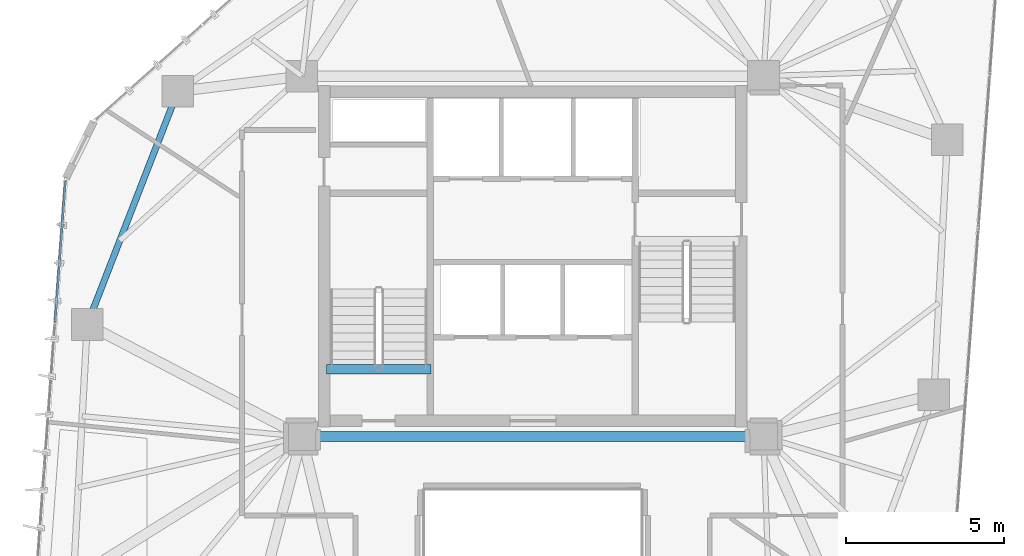
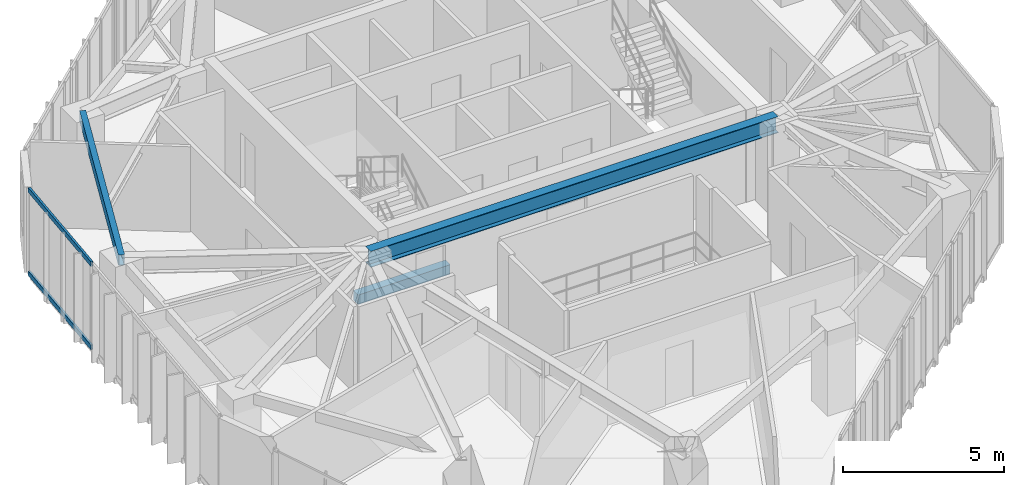
# One storey, part 8 of 19: 3 beams, 2 members, 1 element without a shape of its own.
"""IFC4 building model written with IfcOpenShell, lengths in metres."""

from ifc_helpers import new_model, si_unit, direction, frame, origin, origin_2d, place, context, subcontext, project, spatial, rectangle, hollow_rectangle, i_section, extrude, source, transform, mapped, material, layer, layer_set, material_profile, profile_set, type_object, type_shapes, element, aggregate, save


model = new_model("IFC4")

# Units and contexts
model_context = context("Model", 3, precision=1e-05, world=origin(), true_north=direction((0.0, 1.0)))
body_context = subcontext(model_context, "Body", "Model", "MODEL_VIEW")
ifc_project = project(units=[si_unit("LENGTHUNIT", "METRE"), si_unit("AREAUNIT", "SQUARE_METRE"), si_unit("VOLUMEUNIT", "CUBIC_METRE"), si_unit("PLANEANGLEUNIT", "RADIAN"), si_unit("MASSUNIT", "GRAM", prefix="KILO")], contexts=[model_context])

# Site, building, storey
site_placement = place(None, origin())
site = spatial("IfcSite", under=ifc_project, at=site_placement, CompositionType="ELEMENT")
building_placement = place(site_placement, origin())
building = spatial("IfcBuilding", under=site, at=building_placement, Name="Talar Marvaseh", CompositionType="ELEMENT")
storey_placement = place(building_placement, frame((0.0, 0.0, 222.199951171875)))
storey = spatial("IfcBuildingStorey", under=building, at=storey_placement, Name="L58", CompositionType="ELEMENT", Elevation=222.199951171875)

# Beams
ifc_material_1 = material(Name="Concrete C40/50", Category="concrete")
ifc_material_profile_1 = material_profile(ifc_material_1, rectangle(XDim=0.300048828125, YDim=0.360107421875, at=origin_2d()), Name="RC300x360")
ifc_profile_set_1 = profile_set([ifc_material_profile_1], Name="Concrete C40/50")
beam_type_1 = type_object("IfcBeamType", Name="Concrete Stair Landing Trimmer Beam RC300x360", PredefinedType="SPANDREL", material=ifc_profile_set_1)
beam_1_placement = place(storey_placement, frame((22.780029296875, 27.6298828125, -0.179931640625), z_axis=(-1.0, 0.0, 0.0), x_axis=(0.0, -1.0, 0.0)))
element("IfcBeam", 1, at=beam_1_placement, inside=storey, type_object=beam_type_1, Name="L58 ST-1 Stair Nosing Trimmer Beam", PredefinedType="SPANDREL", context=body_context, shape_type="SweptSolid", body=[
    extrude(rectangle(XDim=0.300048828125, YDim=0.360107421875, at=origin_2d()), origin(), (0.0, 0.0, 1.0), 3.300048828125),
])
ifc_material_2 = material(Name="Steel S355", Category="steel")
ifc_material_profile_2 = material_profile(ifc_material_2, hollow_rectangle(XDim=0.199951171875, YDim=0.39990234375, WallThickness=0.013916015625, at=origin_2d()), Name="RHS400x200x14")
ifc_profile_set_2 = profile_set([ifc_material_profile_2], Name="Steel S355")
beam_type_2 = type_object("IfcBeamType", Name="Zone 3 Perimeter Spandrel Beam RHS400x200x14", PredefinedType="SPANDREL", material=ifc_profile_set_2)
beam_2_placement = place(storey_placement, frame((11.908935546875, 29.044921875, 3.030029296875), z_axis=(0.362169134611, 0.932112395548, 0.0), x_axis=(-0.932112395548, 0.362169134611, 0.0)))
element("IfcBeam", 2, at=beam_2_placement, inside=storey, type_object=beam_type_2, Name="L58 Zone 3 Perimeter Spandrel Beam RHS400x200x14", PredefinedType="SPANDREL", context=body_context, shape_type="SweptSolid", body=[
    extrude(hollow_rectangle(XDim=0.199951171875, YDim=0.39990234375, WallThickness=0.013916015625, at=origin_2d()), origin(), (0.0, 0.0, 1.0), 7.907958984375),
])
ifc_material_profile_3 = material_profile(ifc_material_2, i_section(OverallWidth=0.324951171875, OverallDepth=0.615966796875, WebThickness=0.013916015625, FlangeThickness=0.021484375, at=origin_2d()), Name="W610x174")
ifc_profile_set_3 = profile_set([ifc_material_profile_3], Name="Steel S355")
beam_type_3 = type_object("IfcBeamType", Name="Zone 3 Radial Floor Girder W610x174", PredefinedType="BEAM", material=ifc_profile_set_3)
beam_3_placement = place(storey_placement, frame((18.699951171875, 25.5, 2.922119140625), z_axis=(1.0, 0.0, 0.0), x_axis=(0.0, 1.0, 0.0)))
element("IfcBeam", 3, at=beam_3_placement, inside=storey, type_object=beam_type_3, Name="L58 Zone 3 Radial Floor Girder W610x174", PredefinedType="BEAM", context=body_context, shape_type="SweptSolid", body=[
    extrude(i_section(OverallWidth=0.324951171875, OverallDepth=0.615966796875, WebThickness=0.013916015625, FlangeThickness=0.021484375, at=origin_2d()), origin(), (0.0, 0.0, 1.0), 14.60009765625),
])

# Curtain wall, members
ifc_material_3 = material(Name="Architectural Aluminium", Category="aluminium")
ifc_layer = layer(ifc_material_3, 0.18994140625)
ifc_layer_set = layer_set([ifc_layer], Name="Architectural Aluminium")
curtain_wall_type = type_object("IfcCurtainWallType", Name="Unitised Solar Atelier Curtain Wall Z3", PredefinedType="NOTDEFINED", material=ifc_layer_set)
curtain_wall_placement = place(storey_placement, origin())
curtain_wall = element("IfcCurtainWall", 4, at=curtain_wall_placement, inside=storey, type_object=curtain_wall_type, Name="L58 Unitised Solar Atelier Curtain Wall Z3", PredefinedType="NOTDEFINED")
ifc_material_profile_4 = material_profile(ifc_material_3, hollow_rectangle(XDim=0.074951171875, YDim=0.179931640625, WallThickness=0.0048828125, at=origin_2d()), Name="RHS180x75x5")
ifc_profile_set_4 = profile_set([ifc_material_profile_4], Name="Architectural Aluminium")
member_type = type_object("IfcMemberType", Name="Unitised Curtain Wall Transom RHS180x75x5", PredefinedType="USERDEFINED", material=ifc_profile_set_4)
shared_shape = source(origin(), body_context, "Body", "SweptSolid", [
    extrude(hollow_rectangle(XDim=0.074951171875, YDim=0.179931640625, WallThickness=0.0048828125, at=origin_2d()), origin(), (0.0, 0.0, 1.0), 4.46484375),
])
type_shapes(member_type, [shared_shape])
member_1_placement = place(storey_placement, frame((10.892333984375, 29.117431640625, 0.03759765625), z_axis=(0.072945126645, 0.997335955683, 0.0), x_axis=(-0.997335955683, 0.072945126645, 0.0)))
member_1 = element("IfcMember", 5, at=member_1_placement, type_object=member_type, Name="CW-Z3 transom 3.1", ObjectType="TRANSOM", PredefinedType="USERDEFINED", context=body_context, shape_type="MappedRepresentation", body=[
    mapped(shared_shape, transform((0.0, 0.0, 0.0), x_axis=(1.0, 0.0, 0.0), y_axis=(0.0, 1.0, 0.0), z_axis=(0.0, 0.0, 1.0), scale=1.0)),
])
member_2_placement = place(storey_placement, frame((10.892333984375, 29.117431640625, 3.192626953125), z_axis=(0.072945126645, 0.997335955683, 0.0), x_axis=(-0.997335955683, 0.072945126645, 0.0)))
member_2 = element("IfcMember", 6, at=member_2_placement, type_object=member_type, Name="CW-Z3 transom 3.2", ObjectType="TRANSOM", PredefinedType="USERDEFINED", context=body_context, shape_type="MappedRepresentation", body=[
    mapped(shared_shape, transform((0.0, 0.0, 0.0), x_axis=(1.0, 0.0, 0.0), y_axis=(0.0, 1.0, 0.0), z_axis=(0.0, 0.0, 1.0), scale=1.0)),
])
aggregate(curtain_wall, [member_1, member_2])

save(model, "model.ifc")
